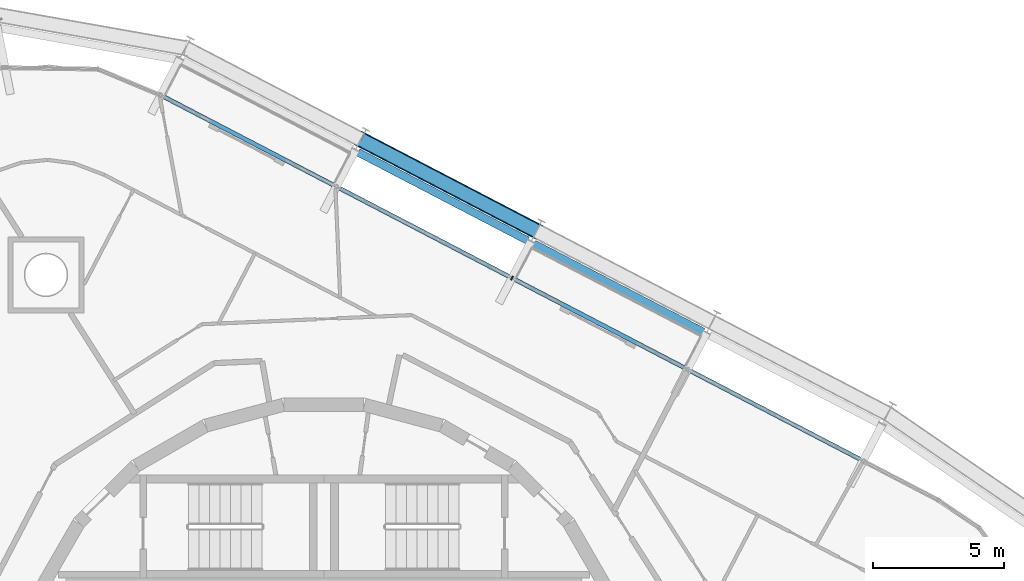
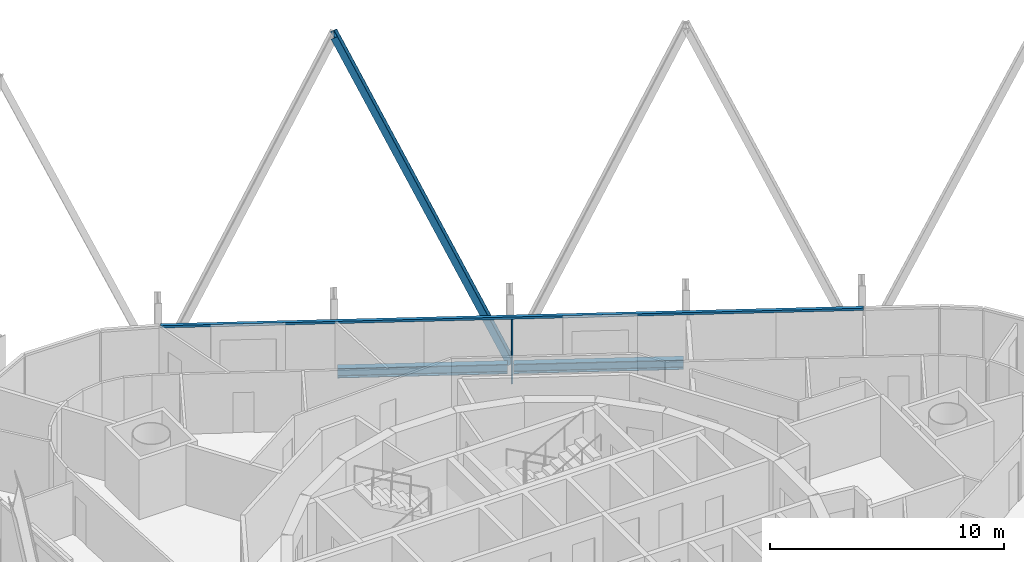
# One storey, part 7 of 18: 3 members, 2 beams, 1 element without a shape of its own.
"""IFC4 building model written with IfcOpenShell, lengths in metres."""

from ifc_helpers import new_model, si_unit, direction, frame, origin, origin_2d, place, context, subcontext, project, spatial, rectangle, i_section, extrude, material, layer, layer_set, material_profile, profile_set, type_object, element, aggregate, save


model = new_model("IFC4")

# Units and contexts
model_context = context("Model", 3, precision=1e-05, world=origin(), true_north=direction((0.0, 1.0)))
body_context = subcontext(model_context, "Body", "Model", "MODEL_VIEW")
ifc_project = project(units=[si_unit("LENGTHUNIT", "METRE"), si_unit("AREAUNIT", "SQUARE_METRE"), si_unit("VOLUMEUNIT", "CUBIC_METRE"), si_unit("PLANEANGLEUNIT", "RADIAN"), si_unit("MASSUNIT", "GRAM", prefix="KILO")], contexts=[model_context])

# Site, building, storey
site_placement = place(None, origin())
site = spatial("IfcSite", under=ifc_project, at=site_placement, CompositionType="ELEMENT")
building_placement = place(site_placement, origin())
building = spatial("IfcBuilding", under=site, at=building_placement, Name="Spindle Arch Residences", CompositionType="ELEMENT")
storey_placement = place(building_placement, frame((0.0, 0.0, 240.699951171875)))
storey = spatial("IfcBuildingStorey", under=building, at=storey_placement, Name="L61", CompositionType="ELEMENT", Elevation=240.699951171875)

# Curtain wall, members
ifc_material_1 = material(Name="Aluminium bronze unitised frame with tinted glass", Category="aluminium")
ifc_layer = layer(ifc_material_1, 0.159912109375)
ifc_layer_set = layer_set([ifc_layer], Name="CW-C typical residential unitised wall")
curtain_wall_type = type_object("IfcCurtainWallType", Name="CW-C typical residential unitised wall", PredefinedType="NOTDEFINED", material=ifc_layer_set)
curtain_wall_placement = place(storey_placement, origin())
curtain_wall = element("IfcCurtainWall", 1, at=curtain_wall_placement, inside=storey, type_object=curtain_wall_type, Name="CW-C L61 run 2", PredefinedType="NOTDEFINED")
ifc_material_2 = material(Name="Aluminium bronze anodised mullion", Category="aluminium")
ifc_material_profile_1 = material_profile(ifc_material_2, rectangle(XDim=0.159912109375, YDim=0.06005859375, at=origin_2d()), Name="MU 60x160")
ifc_profile_set_1 = profile_set([ifc_material_profile_1], Name="Aluminium bronze anodised mullion")
member_type_1 = type_object("IfcMemberType", Name="Bronze mullion 60x160", PredefinedType="MULLION", material=ifc_profile_set_1)
member_1_placement = place(storey_placement, frame((7.15869140625, 16.4697265625, -0.3798828125), z_axis=(0.0, 0.0, 1.0), x_axis=(-0.461748613235, -0.887010833178, 0.0)))
member_1 = element("IfcMember", 2, at=member_1_placement, type_object=member_type_1, Name="CW-C mullion 07", PredefinedType="MULLION", context=body_context, shape_type="SweptSolid", body=[
    extrude(rectangle(XDim=0.159912109375, YDim=0.06005859375, at=origin_2d()), origin(), (0.0, 0.0, 1.0), 3.3798828125),
])
ifc_material_3 = material(Name="Aluminium bronze anodised transom", Category="aluminium")
ifc_material_profile_2 = material_profile(ifc_material_3, rectangle(XDim=0.159912109375, YDim=0.1201171875, at=origin_2d()), Name="TR 120x160")
ifc_profile_set_2 = profile_set([ifc_material_profile_2], Name="Aluminium bronze anodised transom")
member_type_2 = type_object("IfcMemberType", Name="Bronze transom 120x160", PredefinedType="USERDEFINED", material=ifc_profile_set_2)
member_2_placement = place(storey_placement, frame((20.49072265625, 9.529541015625, 3.06005859375), z_axis=(-0.887009936453, 0.461750335825, 0.0), x_axis=(-0.461750335825, -0.887009936453, 0.0)))
member_2 = element("IfcMember", 3, at=member_2_placement, type_object=member_type_2, Name="CW-C transom 00", ObjectType="TRANSOM", PredefinedType="USERDEFINED", context=body_context, shape_type="SweptSolid", body=[
    extrude(rectangle(XDim=0.159912109375, YDim=0.1201171875, at=origin_2d()), origin(), (0.0, 0.0, 1.0), 30.060302734375),
])
aggregate(curtain_wall, [member_2, member_1])

# Member
ifc_material_4 = material(Name="Steel S460ML, intumescent coating R 240", Category="steel")
ifc_material_profile_3 = material_profile(ifc_material_4, i_section(OverallWidth=0.300048828125, OverallDepth=0.60009765625, WebThickness=0.015380859375, FlangeThickness=0.030029296875, FilletRadius=0.027099609375, at=origin_2d()), Name="HEB 600")
ifc_profile_set_3 = profile_set([ifc_material_profile_3], Name="Steel S460ML, intumescent coating R 240")
member_type_3 = type_object("IfcMemberType", Name="Diagrid diagonal HEB 600", PredefinedType="BRACE", material=ifc_profile_set_3)
member_3_placement = place(storey_placement, frame((8.09130859375, 18.261474609375, -0.6298828125), z_axis=(-0.354466950993, 0.184528047227, 0.916680195292), x_axis=(0.813101287694, -0.423283446865, 0.399621595463)))
element("IfcMember", 4, at=member_3_placement, inside=storey, type_object=member_type_3, Name="Diagrid diagonal 6.2.8", PredefinedType="BRACE", context=body_context, shape_type="SweptSolid", body=[
    extrude(i_section(OverallWidth=0.300048828125, OverallDepth=0.60009765625, WebThickness=0.015380859375, FlangeThickness=0.030029296875, FilletRadius=0.027099609375, at=origin_2d()), origin(), (0.0, 0.0, 1.0), 18.843017578125),
])

# Beams
ifc_material_5 = material(Name="Steel S460ML, intumescent coating R 120", Category="steel")
ifc_material_profile_4 = material_profile(ifc_material_5, i_section(OverallWidth=0.300048828125, OverallDepth=0.5, WebThickness=0.014404296875, FlangeThickness=0.028076171875, FilletRadius=0.027099609375, at=origin_2d()), Name="HEB 500")
ifc_profile_set_4 = profile_set([ifc_material_profile_4], Name="Steel S460ML, intumescent coating R 120")
beam_type = type_object("IfcBeamType", Name="Exoskeleton edge beam HEB 500", PredefinedType="BEAM", material=ifc_profile_set_4)
for number, where, z_axis, x_axis, name in (
    (5, (14.43359375, 14.418701171875, -0.6298828125), (-0.887007222688, 0.461755548857, 0.0), (-0.461755548857, -0.887007222688, 0.0), "Exoskeleton edge beam 7"),
    (6, (7.75439453125, 17.895751953125, -0.6298828125), (-0.887007222688, 0.461755548857, 0.0), (-0.461755548857, -0.887007222688, 0.0), "Exoskeleton edge beam 8"),
):
    element("IfcBeam", number, at=place(storey_placement, frame(where, z_axis=z_axis, x_axis=x_axis)), inside=storey, type_object=beam_type, Name=name, PredefinedType="BEAM", context=body_context, shape_type="SweptSolid", body=[
        extrude(i_section(OverallWidth=0.300048828125, OverallDepth=0.5, WebThickness=0.014404296875, FlangeThickness=0.028076171875, FilletRadius=0.027099609375, at=origin_2d()), origin(), (0.0, 0.0, 1.0), 7.27001953125),
    ])

save(model, "model.ifc")
